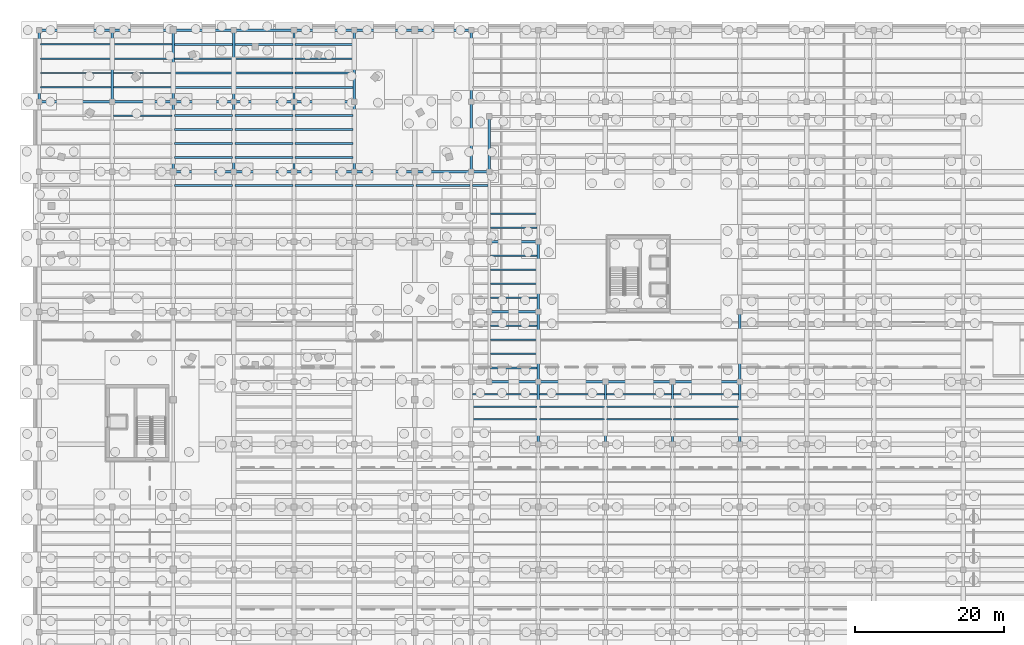
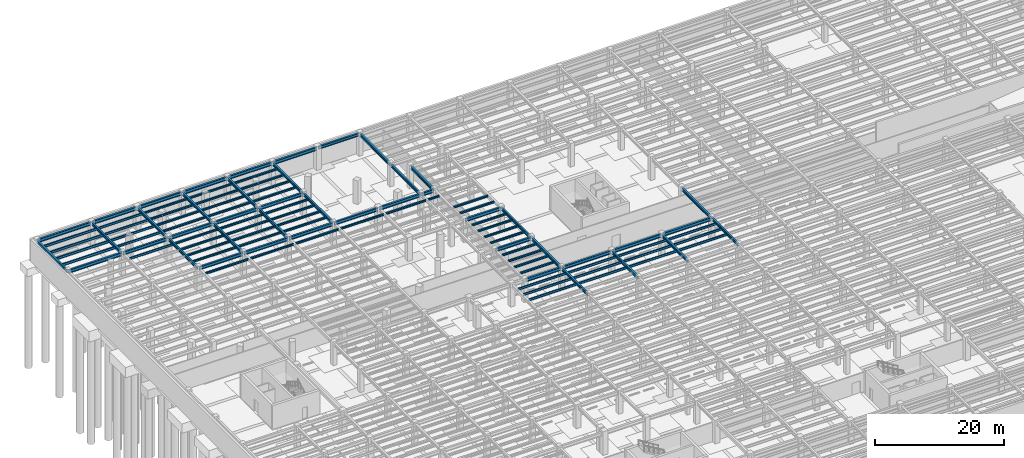
# One storey, part 24 of 49: 105 beams.
"""IFC4 building model written with IfcOpenShell, lengths in metres."""

from ifc_helpers import new_model, si_unit, direction, frame, origin, origin_2d, place, context, subcontext, project, spatial, i_section, extrude, material, material_profile, profile_set, type_object, element, save


model = new_model("IFC4")

# Units and contexts
model_context = context("Model", 3, precision=1e-05, world=origin(), true_north=direction((0.0, 1.0)))
body_context = subcontext(model_context, "Body", "Model", "MODEL_VIEW")
ifc_project = project(units=[si_unit("LENGTHUNIT", "METRE"), si_unit("AREAUNIT", "SQUARE_METRE"), si_unit("VOLUMEUNIT", "CUBIC_METRE"), si_unit("PLANEANGLEUNIT", "RADIAN"), si_unit("MASSUNIT", "GRAM", prefix="KILO")], contexts=[model_context])

# Site, building, storey
site_placement = place(None, origin())
site = spatial("IfcSite", under=ifc_project, at=site_placement, CompositionType="ELEMENT")
building_placement = place(site_placement, origin())
building = spatial("IfcBuilding", under=site, at=building_placement, Name="Sollismere Congress Hotel", CompositionType="ELEMENT")
storey_placement = place(building_placement, frame((0.0, 0.0, -4.5)))
storey = spatial("IfcBuildingStorey", under=building, at=storey_placement, Name="B1", CompositionType="ELEMENT", Elevation=-4.5)

# Beams
ifc_material = material(Name="Steel ASTM A992 Grade 50", Category="steel")
ifc_material_profile_1 = material_profile(ifc_material, i_section(OverallWidth=0.31494140625, OverallDepth=0.551025390625, WebThickness=0.01513671875, FlangeThickness=0.0244140625, at=origin_2d()), Name="W21X122")
ifc_profile_set_1 = profile_set([ifc_material_profile_1], Name="Steel ASTM A992 Grade 50")
beam_type_1 = type_object("IfcBeamType", Name="BM-G21H", PredefinedType="BEAM", material=ifc_profile_set_1)
beam_1_placement = place(storey_placement, frame((9.800048828125, 104.5400390625, 3.924560546875), z_axis=(0.0, 1.0, 0.0), x_axis=(-1.0, 0.0, 0.0)))
element("IfcBeam", 1, at=beam_1_placement, inside=storey, type_object=beam_type_1, Name="Beam BM-B1-0255", PredefinedType="BEAM", context=body_context, shape_type="SweptSolid", body=[
    extrude(i_section(OverallWidth=0.31494140625, OverallDepth=0.551025390625, WebThickness=0.01513671875, FlangeThickness=0.0244140625, at=origin_2d()), origin(), (0.0, 0.0, 1.0), 9.320068359375),
])
beam_2_placement = place(storey_placement, frame((18.0, 95.139892578125, 3.924560546875), z_axis=(0.0, 1.0, 0.0), x_axis=(-1.0, 0.0, 0.0)))
element("IfcBeam", 2, at=beam_2_placement, inside=storey, type_object=beam_type_1, Name="Beam BM-B1-0266", PredefinedType="BEAM", context=body_context, shape_type="SweptSolid", body=[
    extrude(i_section(OverallWidth=0.31494140625, OverallDepth=0.551025390625, WebThickness=0.01513671875, FlangeThickness=0.0244140625, at=origin_2d()), origin(), (0.0, 0.0, 1.0), 9.1201171875),
])
beam_3_placement = place(storey_placement, frame((18.0, 104.5400390625, 3.924560546875), z_axis=(0.0, 1.0, 0.0), x_axis=(-1.0, 0.0, 0.0)))
element("IfcBeam", 3, at=beam_3_placement, inside=storey, type_object=beam_type_1, Name="Beam BM-B1-0267", PredefinedType="BEAM", context=body_context, shape_type="SweptSolid", body=[
    extrude(i_section(OverallWidth=0.31494140625, OverallDepth=0.551025390625, WebThickness=0.01513671875, FlangeThickness=0.0244140625, at=origin_2d()), origin(), (0.0, 0.0, 1.0), 9.320068359375),
])
beam_4_placement = place(storey_placement, frame((26.10009765625, 95.139892578125, 3.924560546875), z_axis=(0.0, 1.0, 0.0), x_axis=(-1.0, 0.0, 0.0)))
element("IfcBeam", 4, at=beam_4_placement, inside=storey, type_object=beam_type_1, Name="Beam BM-B1-0279", PredefinedType="BEAM", context=body_context, shape_type="SweptSolid", body=[
    extrude(i_section(OverallWidth=0.31494140625, OverallDepth=0.551025390625, WebThickness=0.01513671875, FlangeThickness=0.0244140625, at=origin_2d()), origin(), (0.0, 0.0, 1.0), 9.1201171875),
])
beam_5_placement = place(storey_placement, frame((26.10009765625, 104.5400390625, 3.924560546875), z_axis=(0.0, 1.0, 0.0), x_axis=(-1.0, 0.0, 0.0)))
element("IfcBeam", 5, at=beam_5_placement, inside=storey, type_object=beam_type_1, Name="Beam BM-B1-0280", PredefinedType="BEAM", context=body_context, shape_type="SweptSolid", body=[
    extrude(i_section(OverallWidth=0.31494140625, OverallDepth=0.551025390625, WebThickness=0.01513671875, FlangeThickness=0.0244140625, at=origin_2d()), origin(), (0.0, 0.0, 1.0), 9.320068359375),
])
beam_6_placement = place(storey_placement, frame((34.199951171875, 95.139892578125, 3.924560546875), z_axis=(0.0, 1.0, 0.0), x_axis=(-1.0, 0.0, 0.0)))
element("IfcBeam", 6, at=beam_6_placement, inside=storey, type_object=beam_type_1, Name="Beam BM-B1-0292", PredefinedType="BEAM", context=body_context, shape_type="SweptSolid", body=[
    extrude(i_section(OverallWidth=0.31494140625, OverallDepth=0.551025390625, WebThickness=0.01513671875, FlangeThickness=0.0244140625, at=origin_2d()), origin(), (0.0, 0.0, 1.0), 9.1201171875),
])
beam_7_placement = place(storey_placement, frame((34.199951171875, 104.5400390625, 3.924560546875), z_axis=(0.0, 1.0, 0.0), x_axis=(-1.0, 0.0, 0.0)))
element("IfcBeam", 7, at=beam_7_placement, inside=storey, type_object=beam_type_1, Name="Beam BM-B1-0293", PredefinedType="BEAM", context=body_context, shape_type="SweptSolid", body=[
    extrude(i_section(OverallWidth=0.31494140625, OverallDepth=0.551025390625, WebThickness=0.01513671875, FlangeThickness=0.0244140625, at=origin_2d()), origin(), (0.0, 0.0, 1.0), 9.320068359375),
])
beam_8_placement = place(storey_placement, frame((42.300048828125, 95.139892578125, 3.924560546875), z_axis=(0.0, 1.0, 0.0), x_axis=(-1.0, 0.0, 0.0)))
element("IfcBeam", 8, at=beam_8_placement, inside=storey, type_object=beam_type_1, Name="Beam BM-B1-0305", PredefinedType="BEAM", context=body_context, shape_type="SweptSolid", body=[
    extrude(i_section(OverallWidth=0.31494140625, OverallDepth=0.551025390625, WebThickness=0.01513671875, FlangeThickness=0.0244140625, at=origin_2d()), origin(), (0.0, 0.0, 1.0), 9.1201171875),
])
beam_9_placement = place(storey_placement, frame((42.300048828125, 104.5400390625, 3.924560546875), z_axis=(0.0, 1.0, 0.0), x_axis=(-1.0, 0.0, 0.0)))
element("IfcBeam", 9, at=beam_9_placement, inside=storey, type_object=beam_type_1, Name="Beam BM-B1-0306", PredefinedType="BEAM", context=body_context, shape_type="SweptSolid", body=[
    extrude(i_section(OverallWidth=0.31494140625, OverallDepth=0.551025390625, WebThickness=0.01513671875, FlangeThickness=0.0244140625, at=origin_2d()), origin(), (0.0, 0.0, 1.0), 9.320068359375),
])
beam_10_placement = place(storey_placement, frame((58.0, 95.139892578125, 3.924560546875), z_axis=(0.0, 1.0, 0.0), x_axis=(-1.0, 0.0, 0.0)))
element("IfcBeam", 10, at=beam_10_placement, inside=storey, type_object=beam_type_1, Name="Beam BM-B1-0324", PredefinedType="BEAM", context=body_context, shape_type="SweptSolid", body=[
    extrude(i_section(OverallWidth=0.31494140625, OverallDepth=0.551025390625, WebThickness=0.01513671875, FlangeThickness=0.0244140625, at=origin_2d()), origin(), (0.0, 0.0, 1.0), 9.1201171875),
])
beam_11_placement = place(storey_placement, frame((58.0, 104.5400390625, 3.924560546875), z_axis=(0.0, 1.0, 0.0), x_axis=(-1.0, 0.0, 0.0)))
element("IfcBeam", 11, at=beam_11_placement, inside=storey, type_object=beam_type_1, Name="Beam BM-B1-0325", PredefinedType="BEAM", context=body_context, shape_type="SweptSolid", body=[
    extrude(i_section(OverallWidth=0.31494140625, OverallDepth=0.551025390625, WebThickness=0.01513671875, FlangeThickness=0.0244140625, at=origin_2d()), origin(), (0.0, 0.0, 1.0), 9.320068359375),
])
beam_12_placement = place(storey_placement, frame((60.39990234375, 95.139892578125, 3.924560546875), z_axis=(0.0, 1.0, 0.0), x_axis=(-1.0, 0.0, 0.0)))
element("IfcBeam", 12, at=beam_12_placement, inside=storey, type_object=beam_type_1, Name="Beam BM-B1-0329", PredefinedType="BEAM", context=body_context, shape_type="SweptSolid", body=[
    extrude(i_section(OverallWidth=0.31494140625, OverallDepth=0.551025390625, WebThickness=0.01513671875, FlangeThickness=0.0244140625, at=origin_2d()), origin(), (0.0, 0.0, 1.0), 7.1201171875),
])
beam_13_placement = place(storey_placement, frame((67.0, 58.5400390625, 3.924560546875), z_axis=(0.0, 1.0, 0.0), x_axis=(-1.0, 0.0, 0.0)))
element("IfcBeam", 13, at=beam_13_placement, inside=storey, type_object=beam_type_1, Name="Beam BM-B1-0339", PredefinedType="BEAM", context=body_context, shape_type="SweptSolid", body=[
    extrude(i_section(OverallWidth=0.31494140625, OverallDepth=0.551025390625, WebThickness=0.01513671875, FlangeThickness=0.0244140625, at=origin_2d()), origin(), (0.0, 0.0, 1.0), 8.119873046875),
])
beam_14_placement = place(storey_placement, frame((67.0, 66.93994140625, 3.924560546875), z_axis=(0.0, 1.0, 0.0), x_axis=(-1.0, 0.0, 0.0)))
element("IfcBeam", 14, at=beam_14_placement, inside=storey, type_object=beam_type_1, Name="Beam BM-B1-0340", PredefinedType="BEAM", context=body_context, shape_type="SweptSolid", body=[
    extrude(i_section(OverallWidth=0.31494140625, OverallDepth=0.551025390625, WebThickness=0.01513671875, FlangeThickness=0.0244140625, at=origin_2d()), origin(), (0.0, 0.0, 1.0), 9.1201171875),
])
beam_15_placement = place(storey_placement, frame((67.0, 76.340087890625, 3.924560546875), z_axis=(0.0, 1.0, 0.0), x_axis=(-1.0, 0.0, 0.0)))
element("IfcBeam", 15, at=beam_15_placement, inside=storey, type_object=beam_type_1, Name="Beam BM-B1-0341", PredefinedType="BEAM", context=body_context, shape_type="SweptSolid", body=[
    extrude(i_section(OverallWidth=0.31494140625, OverallDepth=0.551025390625, WebThickness=0.01513671875, FlangeThickness=0.0244140625, at=origin_2d()), origin(), (0.0, 0.0, 1.0), 9.119873046875),
])
for number, where, z_axis, x_axis, name in (
    (16, (76.0, 58.5400390625, 3.924560546875), (0.0, 1.0, 0.0), (-1.0, 0.0, 0.0), "Beam BM-B1-0354"),
    (17, (85.0, 58.5400390625, 3.924560546875), (0.0, 1.0, 0.0), (-1.0, 0.0, 0.0), "Beam BM-B1-0366"),
    (18, (94.0, 58.5400390625, 3.924560546875), (0.0, 1.0, 0.0), (-1.0, 0.0, 0.0), "Beam BM-B1-0376"),
):
    element("IfcBeam", number, at=place(storey_placement, frame(where, z_axis=z_axis, x_axis=x_axis)), inside=storey, type_object=beam_type_1, Name=name, PredefinedType="BEAM", context=body_context, shape_type="SweptSolid", body=[
        extrude(i_section(OverallWidth=0.31494140625, OverallDepth=0.551025390625, WebThickness=0.01513671875, FlangeThickness=0.0244140625, at=origin_2d()), origin(), (0.0, 0.0, 1.0), 8.119873046875),
    ])
beam_16_placement = place(storey_placement, frame((94.0, 66.93994140625, 3.924560546875), z_axis=(0.0, 1.0, 0.0), x_axis=(-1.0, 0.0, 0.0)))
element("IfcBeam", 19, at=beam_16_placement, inside=storey, type_object=beam_type_1, Name="Beam BM-B1-0377", PredefinedType="BEAM", context=body_context, shape_type="SweptSolid", body=[
    extrude(i_section(OverallWidth=0.31494140625, OverallDepth=0.551025390625, WebThickness=0.01513671875, FlangeThickness=0.0244140625, at=origin_2d()), origin(), (0.0, 0.0, 1.0), 9.1201171875),
])
ifc_material_profile_2 = material_profile(ifc_material, i_section(OverallWidth=0.324951171875, OverallDepth=0.612060546875, WebThickness=0.0126953125, FlangeThickness=0.01904296875, at=origin_2d()), Name="W24X104")
ifc_profile_set_2 = profile_set([ifc_material_profile_2], Name="Steel ASTM A992 Grade 50")
beam_type_2 = type_object("IfcBeamType", Name="BM-G24", PredefinedType="BEAM", material=ifc_profile_set_2)
beam_17_placement = place(storey_placement, frame((60.5400390625, 66.800048828125, 3.89404296875), z_axis=(1.0, 0.0, 0.0), x_axis=(0.0, 1.0, 0.0)))
element("IfcBeam", 20, at=beam_17_placement, inside=storey, type_object=beam_type_2, Name="Beam BM-B1-0132", PredefinedType="BEAM", context=body_context, shape_type="SweptSolid", body=[
    extrude(i_section(OverallWidth=0.324951171875, OverallDepth=0.612060546875, WebThickness=0.0126953125, FlangeThickness=0.01904296875, at=origin_2d()), origin(), (0.0, 0.0, 1.0), 6.320068359375),
])
for number, where, z_axis, x_axis, name in (
    (21, (67.139892578125, 66.800048828125, 3.89404296875), (1.0, 0.0, 0.0), (0.0, 1.0, 0.0), "Beam BM-B1-0133"),
    (22, (76.139892578125, 66.800048828125, 3.89404296875), (1.0, 0.0, 0.0), (0.0, 1.0, 0.0), "Beam BM-B1-0134"),
    (23, (85.139892578125, 66.800048828125, 3.89404296875), (1.0, 0.0, 0.0), (0.0, 1.0, 0.0), "Beam BM-B1-0135"),
):
    element("IfcBeam", number, at=place(storey_placement, frame(where, z_axis=z_axis, x_axis=x_axis)), inside=storey, type_object=beam_type_2, Name=name, PredefinedType="BEAM", context=body_context, shape_type="SweptSolid", body=[
        extrude(i_section(OverallWidth=0.324951171875, OverallDepth=0.612060546875, WebThickness=0.0126953125, FlangeThickness=0.01904296875, at=origin_2d()), origin(), (0.0, 0.0, 1.0), 8.72021484375),
    ])
for number, where, z_axis, x_axis, name in (
    (24, (60.5400390625, 76.199951171875, 3.89404296875), (1.0, 0.0, 0.0), (0.0, 1.0, 0.0), "Beam BM-B1-0149"),
    (25, (60.5400390625, 85.60009765625, 3.89404296875), (1.0, 0.0, 0.0), (0.0, 1.0, 0.0), "Beam BM-B1-0165"),
):
    element("IfcBeam", number, at=place(storey_placement, frame(where, z_axis=z_axis, x_axis=x_axis)), inside=storey, type_object=beam_type_2, Name=name, PredefinedType="BEAM", context=body_context, shape_type="SweptSolid", body=[
        extrude(i_section(OverallWidth=0.324951171875, OverallDepth=0.612060546875, WebThickness=0.0126953125, FlangeThickness=0.01904296875, at=origin_2d()), origin(), (0.0, 0.0, 1.0), 6.320068359375),
    ])
for number, where, z_axis, x_axis, name in (
    (26, (18.139892578125, 95.0, 3.89404296875), (1.0, 0.0, 0.0), (0.0, 1.0, 0.0), "Beam BM-B1-0175"),
    (27, (26.239990234375, 95.0, 3.89404296875), (1.0, 0.0, 0.0), (0.0, 1.0, 0.0), "Beam BM-B1-0176"),
):
    element("IfcBeam", number, at=place(storey_placement, frame(where, z_axis=z_axis, x_axis=x_axis)), inside=storey, type_object=beam_type_2, Name=name, PredefinedType="BEAM", context=body_context, shape_type="SweptSolid", body=[
        extrude(i_section(OverallWidth=0.324951171875, OverallDepth=0.612060546875, WebThickness=0.0126953125, FlangeThickness=0.01904296875, at=origin_2d()), origin(), (0.0, 0.0, 1.0), 7.820068359375),
    ])
beam_18_placement = place(storey_placement, frame((34.340087890625, 95.0, 3.89404296875), z_axis=(1.0, 0.0, 0.0), x_axis=(0.0, 1.0, 0.0)))
element("IfcBeam", 28, at=beam_18_placement, inside=storey, type_object=beam_type_2, Name="Beam BM-B1-0177", PredefinedType="BEAM", context=body_context, shape_type="SweptSolid", body=[
    extrude(i_section(OverallWidth=0.324951171875, OverallDepth=0.612060546875, WebThickness=0.0126953125, FlangeThickness=0.01904296875, at=origin_2d()), origin(), (0.0, 0.0, 1.0), 7.81982421875),
])
beam_19_placement = place(storey_placement, frame((42.43994140625, 95.0, 3.89404296875), z_axis=(1.0, 0.0, 0.0), x_axis=(0.0, 1.0, 0.0)))
element("IfcBeam", 29, at=beam_19_placement, inside=storey, type_object=beam_type_2, Name="Beam BM-B1-0178", PredefinedType="BEAM", context=body_context, shape_type="SweptSolid", body=[
    extrude(i_section(OverallWidth=0.324951171875, OverallDepth=0.612060546875, WebThickness=0.0126953125, FlangeThickness=0.01904296875, at=origin_2d()), origin(), (0.0, 0.0, 1.0), 7.820068359375),
])
beam_20_placement = place(storey_placement, frame((50.5400390625, 95.0, 3.89404296875), z_axis=(1.0, 0.0, 0.0), x_axis=(0.0, 1.0, 0.0)))
element("IfcBeam", 30, at=beam_20_placement, inside=storey, type_object=beam_type_2, Name="Beam BM-B1-0179", PredefinedType="BEAM", context=body_context, shape_type="SweptSolid", body=[
    extrude(i_section(OverallWidth=0.324951171875, OverallDepth=0.612060546875, WebThickness=0.0126953125, FlangeThickness=0.01904296875, at=origin_2d()), origin(), (0.0, 0.0, 1.0), 7.320068359375),
])
beam_21_placement = place(storey_placement, frame((58.139892578125, 95.0, 3.89404296875), z_axis=(1.0, 0.0, 0.0), x_axis=(0.0, 1.0, 0.0)))
element("IfcBeam", 31, at=beam_21_placement, inside=storey, type_object=beam_type_2, Name="Beam BM-B1-0180", PredefinedType="BEAM", context=body_context, shape_type="SweptSolid", body=[
    extrude(i_section(OverallWidth=0.324951171875, OverallDepth=0.612060546875, WebThickness=0.0126953125, FlangeThickness=0.01904296875, at=origin_2d()), origin(), (0.0, 0.0, 1.0), 2.1201171875),
])
beam_22_placement = place(storey_placement, frame((0.139892578125, 104.39990234375, 3.89404296875), z_axis=(1.0, 0.0, 0.0), x_axis=(0.0, 1.0, 0.0)))
element("IfcBeam", 32, at=beam_22_placement, inside=storey, type_object=beam_type_2, Name="Beam BM-B1-0192", PredefinedType="BEAM", context=body_context, shape_type="SweptSolid", body=[
    extrude(i_section(OverallWidth=0.324951171875, OverallDepth=0.612060546875, WebThickness=0.0126953125, FlangeThickness=0.01904296875, at=origin_2d()), origin(), (0.0, 0.0, 1.0), 9.52001953125),
])
beam_23_placement = place(storey_placement, frame((9.93994140625, 104.39990234375, 3.89404296875), z_axis=(1.0, 0.0, 0.0), x_axis=(0.0, 1.0, 0.0)))
element("IfcBeam", 33, at=beam_23_placement, inside=storey, type_object=beam_type_2, Name="Beam BM-B1-0193", PredefinedType="BEAM", context=body_context, shape_type="SweptSolid", body=[
    extrude(i_section(OverallWidth=0.324951171875, OverallDepth=0.612060546875, WebThickness=0.0126953125, FlangeThickness=0.01904296875, at=origin_2d()), origin(), (0.0, 0.0, 1.0), 7.920166015625),
])
for number, where, z_axis, x_axis, name in (
    (34, (18.139892578125, 104.39990234375, 3.89404296875), (1.0, 0.0, 0.0), (0.0, 1.0, 0.0), "Beam BM-B1-0194"),
    (35, (26.239990234375, 104.39990234375, 3.89404296875), (1.0, 0.0, 0.0), (0.0, 1.0, 0.0), "Beam BM-B1-0195"),
):
    element("IfcBeam", number, at=place(storey_placement, frame(where, z_axis=z_axis, x_axis=x_axis)), inside=storey, type_object=beam_type_2, Name=name, PredefinedType="BEAM", context=body_context, shape_type="SweptSolid", body=[
        extrude(i_section(OverallWidth=0.324951171875, OverallDepth=0.612060546875, WebThickness=0.0126953125, FlangeThickness=0.01904296875, at=origin_2d()), origin(), (0.0, 0.0, 1.0), 7.820068359375),
    ])
beam_24_placement = place(storey_placement, frame((34.340087890625, 104.39990234375, 3.89404296875), z_axis=(1.0, 0.0, 0.0), x_axis=(0.0, 1.0, 0.0)))
element("IfcBeam", 36, at=beam_24_placement, inside=storey, type_object=beam_type_2, Name="Beam BM-B1-0196", PredefinedType="BEAM", context=body_context, shape_type="SweptSolid", body=[
    extrude(i_section(OverallWidth=0.324951171875, OverallDepth=0.612060546875, WebThickness=0.0126953125, FlangeThickness=0.01904296875, at=origin_2d()), origin(), (0.0, 0.0, 1.0), 7.81982421875),
])
ifc_material_profile_3 = material_profile(ifc_material, i_section(OverallWidth=0.25390625, OverallDepth=0.35595703125, WebThickness=0.010498046875, FlangeThickness=0.018310546875, at=origin_2d()), Name="W14X68")
ifc_profile_set_3 = profile_set([ifc_material_profile_3], Name="Steel ASTM A992 Grade 50")
beam_type_3 = type_object("IfcBeamType", Name="BM-J14", PredefinedType="JOIST", material=ifc_profile_set_3)
for number, where, z_axis, x_axis, name in (
    (37, (18.157470703125, 93.1201171875, 4.02197265625), (1.0, 0.0, 0.0), (0.0, 1.0, 0.0), "Beam BM-B1-0560"),
    (38, (18.157470703125, 96.8798828125, 4.02197265625), (1.0, 0.0, 0.0), (0.0, 1.0, 0.0), "Beam BM-B1-0561"),
    (39, (18.157470703125, 98.760009765625, 4.02197265625), (1.0, 0.0, 0.0), (0.0, 1.0, 0.0), "Beam BM-B1-0562"),
    (40, (18.157470703125, 100.639892578125, 4.02197265625), (1.0, 0.0, 0.0), (0.0, 1.0, 0.0), "Beam BM-B1-0563"),
    (41, (18.157470703125, 102.52001953125, 4.02197265625), (1.0, 0.0, 0.0), (0.0, 1.0, 0.0), "Beam BM-B1-0564"),
    (42, (18.157470703125, 106.320068359375, 4.02197265625), (1.0, 0.0, 0.0), (0.0, 1.0, 0.0), "Beam BM-B1-0565"),
    (43, (18.157470703125, 108.239990234375, 4.02197265625), (1.0, 0.0, 0.0), (0.0, 1.0, 0.0), "Beam BM-B1-0566"),
    (44, (18.157470703125, 110.159912109375, 4.02197265625), (1.0, 0.0, 0.0), (0.0, 1.0, 0.0), "Beam BM-B1-0567"),
    (45, (18.157470703125, 112.080078125, 4.02197265625), (1.0, 0.0, 0.0), (0.0, 1.0, 0.0), "Beam BM-B1-0568"),
    (46, (26.257568359375, 93.1201171875, 4.02197265625), (1.0, 0.0, 0.0), (0.0, 1.0, 0.0), "Beam BM-B1-0611"),
    (47, (26.257568359375, 96.8798828125, 4.02197265625), (1.0, 0.0, 0.0), (0.0, 1.0, 0.0), "Beam BM-B1-0612"),
    (48, (26.257568359375, 98.760009765625, 4.02197265625), (1.0, 0.0, 0.0), (0.0, 1.0, 0.0), "Beam BM-B1-0613"),
    (49, (26.257568359375, 100.639892578125, 4.02197265625), (1.0, 0.0, 0.0), (0.0, 1.0, 0.0), "Beam BM-B1-0614"),
    (50, (26.257568359375, 102.52001953125, 4.02197265625), (1.0, 0.0, 0.0), (0.0, 1.0, 0.0), "Beam BM-B1-0615"),
    (51, (26.257568359375, 106.320068359375, 4.02197265625), (1.0, 0.0, 0.0), (0.0, 1.0, 0.0), "Beam BM-B1-0616"),
    (52, (26.257568359375, 108.239990234375, 4.02197265625), (1.0, 0.0, 0.0), (0.0, 1.0, 0.0), "Beam BM-B1-0617"),
    (53, (26.257568359375, 110.159912109375, 4.02197265625), (1.0, 0.0, 0.0), (0.0, 1.0, 0.0), "Beam BM-B1-0618"),
    (54, (26.257568359375, 112.080078125, 4.02197265625), (1.0, 0.0, 0.0), (0.0, 1.0, 0.0), "Beam BM-B1-0619"),
):
    element("IfcBeam", number, at=place(storey_placement, frame(where, z_axis=z_axis, x_axis=x_axis)), inside=storey, type_object=beam_type_3, Name=name, PredefinedType="JOIST", context=body_context, shape_type="SweptSolid", body=[
        extrude(i_section(OverallWidth=0.25390625, OverallDepth=0.35595703125, WebThickness=0.010498046875, FlangeThickness=0.018310546875, at=origin_2d()), origin(), (0.0, 0.0, 1.0), 7.784912109375),
    ])
for number, where, z_axis, x_axis, name in (
    (55, (34.357421875, 93.1201171875, 4.02197265625), (1.0, 0.0, 0.0), (0.0, 1.0, 0.0), "Beam BM-B1-0662"),
    (56, (34.357421875, 96.8798828125, 4.02197265625), (1.0, 0.0, 0.0), (0.0, 1.0, 0.0), "Beam BM-B1-0663"),
    (57, (34.357421875, 98.760009765625, 4.02197265625), (1.0, 0.0, 0.0), (0.0, 1.0, 0.0), "Beam BM-B1-0664"),
    (58, (34.357421875, 100.639892578125, 4.02197265625), (1.0, 0.0, 0.0), (0.0, 1.0, 0.0), "Beam BM-B1-0665"),
    (59, (34.357421875, 102.52001953125, 4.02197265625), (1.0, 0.0, 0.0), (0.0, 1.0, 0.0), "Beam BM-B1-0666"),
    (60, (34.357421875, 106.320068359375, 4.02197265625), (1.0, 0.0, 0.0), (0.0, 1.0, 0.0), "Beam BM-B1-0667"),
    (61, (34.357421875, 108.239990234375, 4.02197265625), (1.0, 0.0, 0.0), (0.0, 1.0, 0.0), "Beam BM-B1-0668"),
    (62, (34.357421875, 110.159912109375, 4.02197265625), (1.0, 0.0, 0.0), (0.0, 1.0, 0.0), "Beam BM-B1-0669"),
    (63, (34.357421875, 112.080078125, 4.02197265625), (1.0, 0.0, 0.0), (0.0, 1.0, 0.0), "Beam BM-B1-0670"),
):
    element("IfcBeam", number, at=place(storey_placement, frame(where, z_axis=z_axis, x_axis=x_axis)), inside=storey, type_object=beam_type_3, Name=name, PredefinedType="JOIST", context=body_context, shape_type="SweptSolid", body=[
        extrude(i_section(OverallWidth=0.25390625, OverallDepth=0.35595703125, WebThickness=0.010498046875, FlangeThickness=0.018310546875, at=origin_2d()), origin(), (0.0, 0.0, 1.0), 7.78515625),
    ])
beam_25_placement = place(storey_placement, frame((42.45751953125, 93.1201171875, 4.02197265625), z_axis=(1.0, 0.0, 0.0), x_axis=(0.0, 1.0, 0.0)))
element("IfcBeam", 64, at=beam_25_placement, inside=storey, type_object=beam_type_3, Name="Beam BM-B1-0690", PredefinedType="JOIST", context=body_context, shape_type="SweptSolid", body=[
    extrude(i_section(OverallWidth=0.25390625, OverallDepth=0.35595703125, WebThickness=0.010498046875, FlangeThickness=0.018310546875, at=origin_2d()), origin(), (0.0, 0.0, 1.0), 7.784912109375),
])
beam_26_placement = place(storey_placement, frame((50.5576171875, 93.1201171875, 4.02197265625), z_axis=(1.0, 0.0, 0.0), x_axis=(0.0, 1.0, 0.0)))
element("IfcBeam", 65, at=beam_26_placement, inside=storey, type_object=beam_type_3, Name="Beam BM-B1-0710", PredefinedType="JOIST", context=body_context, shape_type="SweptSolid", body=[
    extrude(i_section(OverallWidth=0.25390625, OverallDepth=0.35595703125, WebThickness=0.010498046875, FlangeThickness=0.018310546875, at=origin_2d()), origin(), (0.0, 0.0, 1.0), 7.284912109375),
])
beam_27_placement = place(storey_placement, frame((58.157470703125, 93.1201171875, 4.02197265625), z_axis=(1.0, 0.0, 0.0), x_axis=(0.0, 1.0, 0.0)))
element("IfcBeam", 66, at=beam_27_placement, inside=storey, type_object=beam_type_3, Name="Beam BM-B1-0742", PredefinedType="JOIST", context=body_context, shape_type="SweptSolid", body=[
    extrude(i_section(OverallWidth=0.25390625, OverallDepth=0.35595703125, WebThickness=0.010498046875, FlangeThickness=0.018310546875, at=origin_2d()), origin(), (0.0, 0.0, 1.0), 2.0849609375),
])
for number, where, z_axis, x_axis, name in (
    (67, (60.5576171875, 68.679931640625, 4.02197265625), (1.0, 0.0, 0.0), (0.0, 1.0, 0.0), "Beam BM-B1-0747"),
    (68, (60.5576171875, 70.56005859375, 4.02197265625), (1.0, 0.0, 0.0), (0.0, 1.0, 0.0), "Beam BM-B1-0748"),
    (69, (60.5576171875, 72.43994140625, 4.02197265625), (1.0, 0.0, 0.0), (0.0, 1.0, 0.0), "Beam BM-B1-0749"),
    (70, (60.5576171875, 74.320068359375, 4.02197265625), (1.0, 0.0, 0.0), (0.0, 1.0, 0.0), "Beam BM-B1-0750"),
    (71, (60.5576171875, 78.080078125, 4.02197265625), (1.0, 0.0, 0.0), (0.0, 1.0, 0.0), "Beam BM-B1-0751"),
    (72, (60.5576171875, 79.9599609375, 4.02197265625), (1.0, 0.0, 0.0), (0.0, 1.0, 0.0), "Beam BM-B1-0752"),
    (73, (60.5576171875, 81.840087890625, 4.02197265625), (1.0, 0.0, 0.0), (0.0, 1.0, 0.0), "Beam BM-B1-0753"),
    (74, (60.5576171875, 83.719970703125, 4.02197265625), (1.0, 0.0, 0.0), (0.0, 1.0, 0.0), "Beam BM-B1-0754"),
    (75, (60.5576171875, 87.47998046875, 4.02197265625), (1.0, 0.0, 0.0), (0.0, 1.0, 0.0), "Beam BM-B1-0755"),
    (76, (60.5576171875, 89.360107421875, 4.02197265625), (1.0, 0.0, 0.0), (0.0, 1.0, 0.0), "Beam BM-B1-0756"),
):
    element("IfcBeam", number, at=place(storey_placement, frame(where, z_axis=z_axis, x_axis=x_axis)), inside=storey, type_object=beam_type_3, Name=name, PredefinedType="JOIST", context=body_context, shape_type="SweptSolid", body=[
        extrude(i_section(OverallWidth=0.25390625, OverallDepth=0.35595703125, WebThickness=0.010498046875, FlangeThickness=0.018310546875, at=origin_2d()), origin(), (0.0, 0.0, 1.0), 6.284912109375),
    ])
ifc_material_profile_4 = material_profile(ifc_material, i_section(OverallWidth=0.180908203125, OverallDepth=0.4169921875, WebThickness=0.010986328125, FlangeThickness=0.018310546875, at=origin_2d()), Name="W16X57")
ifc_profile_set_4 = profile_set([ifc_material_profile_4], Name="Steel ASTM A992 Grade 50")
beam_type_4 = type_object("IfcBeamType", Name="BM-J16", PredefinedType="JOIST", material=ifc_profile_set_4)
for number, where, z_axis, x_axis, name in (
    (77, (9.95751953125, 102.52001953125, 3.991455078125), (1.0, 0.0, 0.0), (0.0, 1.0, 0.0), "Beam BM-B1-0529"),
    (78, (9.95751953125, 106.320068359375, 3.991455078125), (1.0, 0.0, 0.0), (0.0, 1.0, 0.0), "Beam BM-B1-0530"),
    (79, (9.95751953125, 108.239990234375, 3.991455078125), (1.0, 0.0, 0.0), (0.0, 1.0, 0.0), "Beam BM-B1-0531"),
    (80, (9.95751953125, 110.159912109375, 3.991455078125), (1.0, 0.0, 0.0), (0.0, 1.0, 0.0), "Beam BM-B1-0532"),
    (81, (9.95751953125, 112.080078125, 3.991455078125), (1.0, 0.0, 0.0), (0.0, 1.0, 0.0), "Beam BM-B1-0533"),
):
    element("IfcBeam", number, at=place(storey_placement, frame(where, z_axis=z_axis, x_axis=x_axis)), inside=storey, type_object=beam_type_4, Name=name, PredefinedType="JOIST", context=body_context, shape_type="SweptSolid", body=[
        extrude(i_section(OverallWidth=0.180908203125, OverallDepth=0.4169921875, WebThickness=0.010986328125, FlangeThickness=0.018310546875, at=origin_2d()), origin(), (0.0, 0.0, 1.0), 7.885009765625),
    ])
for number, where, z_axis, x_axis, name in (
    (82, (58.157470703125, 61.760009765625, 3.991455078125), (1.0, 0.0, 0.0), (0.0, 1.0, 0.0), "Beam BM-B1-0728"),
    (83, (58.157470703125, 63.43994140625, 3.991455078125), (1.0, 0.0, 0.0), (0.0, 1.0, 0.0), "Beam BM-B1-0729"),
    (84, (58.157470703125, 65.1201171875, 3.991455078125), (1.0, 0.0, 0.0), (0.0, 1.0, 0.0), "Beam BM-B1-0730"),
    (85, (67.157470703125, 61.760009765625, 3.991455078125), (1.0, 0.0, 0.0), (0.0, 1.0, 0.0), "Beam BM-B1-0789"),
    (86, (67.157470703125, 63.43994140625, 3.991455078125), (1.0, 0.0, 0.0), (0.0, 1.0, 0.0), "Beam BM-B1-0790"),
    (87, (67.157470703125, 65.1201171875, 3.991455078125), (1.0, 0.0, 0.0), (0.0, 1.0, 0.0), "Beam BM-B1-0791"),
    (88, (76.157470703125, 61.760009765625, 3.991455078125), (1.0, 0.0, 0.0), (0.0, 1.0, 0.0), "Beam BM-B1-0826"),
    (89, (76.157470703125, 63.43994140625, 3.991455078125), (1.0, 0.0, 0.0), (0.0, 1.0, 0.0), "Beam BM-B1-0827"),
    (90, (76.157470703125, 65.1201171875, 3.991455078125), (1.0, 0.0, 0.0), (0.0, 1.0, 0.0), "Beam BM-B1-0828"),
    (91, (85.157470703125, 61.760009765625, 3.991455078125), (1.0, 0.0, 0.0), (0.0, 1.0, 0.0), "Beam BM-B1-0856"),
    (92, (85.157470703125, 63.43994140625, 3.991455078125), (1.0, 0.0, 0.0), (0.0, 1.0, 0.0), "Beam BM-B1-0857"),
    (93, (85.157470703125, 65.1201171875, 3.991455078125), (1.0, 0.0, 0.0), (0.0, 1.0, 0.0), "Beam BM-B1-0858"),
):
    element("IfcBeam", number, at=place(storey_placement, frame(where, z_axis=z_axis, x_axis=x_axis)), inside=storey, type_object=beam_type_4, Name=name, PredefinedType="JOIST", context=body_context, shape_type="SweptSolid", body=[
        extrude(i_section(OverallWidth=0.180908203125, OverallDepth=0.4169921875, WebThickness=0.010986328125, FlangeThickness=0.018310546875, at=origin_2d()), origin(), (0.0, 0.0, 1.0), 8.68505859375),
    ])
ifc_material_profile_5 = material_profile(ifc_material, i_section(OverallWidth=0.193115234375, OverallDepth=0.467041015625, WebThickness=0.011474609375, FlangeThickness=0.01904296875, at=origin_2d()), Name="W18X65")
ifc_profile_set_5 = profile_set([ifc_material_profile_5], Name="Steel ASTM A992 Grade 50")
beam_type_5 = type_object("IfcBeamType", Name="BM-J18", PredefinedType="JOIST", material=ifc_profile_set_5)
for number, where, z_axis, x_axis, name in (
    (94, (0.1650390625, 106.320068359375, 3.966552734375), (1.0, 0.0, 0.0), (0.0, 1.0, 0.0), "Beam BM-B1-0495"),
    (95, (0.1650390625, 108.239990234375, 3.966552734375), (1.0, 0.0, 0.0), (0.0, 1.0, 0.0), "Beam BM-B1-0496"),
    (96, (0.1650390625, 110.159912109375, 3.966552734375), (1.0, 0.0, 0.0), (0.0, 1.0, 0.0), "Beam BM-B1-0497"),
    (97, (0.1650390625, 112.080078125, 3.966552734375), (1.0, 0.0, 0.0), (0.0, 1.0, 0.0), "Beam BM-B1-0498"),
):
    element("IfcBeam", number, at=place(storey_placement, frame(where, z_axis=z_axis, x_axis=x_axis)), inside=storey, type_object=beam_type_5, Name=name, PredefinedType="JOIST", context=body_context, shape_type="SweptSolid", body=[
        extrude(i_section(OverallWidth=0.193115234375, OverallDepth=0.467041015625, WebThickness=0.011474609375, FlangeThickness=0.01904296875, at=origin_2d()), origin(), (0.0, 0.0, 1.0), 9.4775390625),
    ])
ifc_material_profile_6 = material_profile(ifc_material, i_section(OverallWidth=0.31494140625, OverallDepth=0.551025390625, WebThickness=0.01513671875, FlangeThickness=0.0244140625, at=origin_2d()), Name="W21X122")
ifc_profile_set_6 = profile_set([ifc_material_profile_6], Name="Steel ASTM A992 Grade 50")
beam_type_6 = type_object("IfcBeamType", Name="BM-SP21E", PredefinedType="SPANDREL", material=ifc_profile_set_6)
beam_28_placement = place(storey_placement, frame((50.5400390625, 114.0, 3.924560546875), z_axis=(1.0, 0.0, 0.0), x_axis=(0.0, 1.0, 0.0)))
element("IfcBeam", 98, at=beam_28_placement, inside=storey, type_object=beam_type_6, Name="Beam BM-B1-0214", PredefinedType="SPANDREL", context=body_context, shape_type="SweptSolid", body=[
    extrude(i_section(OverallWidth=0.31494140625, OverallDepth=0.551025390625, WebThickness=0.01513671875, FlangeThickness=0.0244140625, at=origin_2d()), origin(), (0.0, 0.0, 1.0), 7.320068359375),
])
ifc_material_profile_7 = material_profile(ifc_material, i_section(OverallWidth=0.330078125, OverallDepth=0.635009765625, WebThickness=0.017822265625, FlangeThickness=0.031005859375, at=origin_2d()), Name="W24X162")
ifc_profile_set_7 = profile_set([ifc_material_profile_7], Name="Steel ASTM A992 Grade 50")
beam_type_7 = type_object("IfcBeamType", Name="BM-SP24E", PredefinedType="SPANDREL", material=ifc_profile_set_7)
beam_29_placement = place(storey_placement, frame((0.139892578125, 114.0, 3.882568359375), z_axis=(1.0, 0.0, 0.0), x_axis=(0.0, 1.0, 0.0)))
element("IfcBeam", 99, at=beam_29_placement, inside=storey, type_object=beam_type_7, Name="Beam BM-B1-0208", PredefinedType="SPANDREL", context=body_context, shape_type="SweptSolid", body=[
    extrude(i_section(OverallWidth=0.330078125, OverallDepth=0.635009765625, WebThickness=0.017822265625, FlangeThickness=0.031005859375, at=origin_2d()), origin(), (0.0, 0.0, 1.0), 9.52001953125),
])
beam_30_placement = place(storey_placement, frame((9.93994140625, 114.0, 3.882568359375), z_axis=(1.0, 0.0, 0.0), x_axis=(0.0, 1.0, 0.0)))
element("IfcBeam", 100, at=beam_30_placement, inside=storey, type_object=beam_type_7, Name="Beam BM-B1-0209", PredefinedType="SPANDREL", context=body_context, shape_type="SweptSolid", body=[
    extrude(i_section(OverallWidth=0.330078125, OverallDepth=0.635009765625, WebThickness=0.017822265625, FlangeThickness=0.031005859375, at=origin_2d()), origin(), (0.0, 0.0, 1.0), 7.920166015625),
])
for number, where, z_axis, x_axis, name in (
    (101, (18.139892578125, 114.0, 3.882568359375), (1.0, 0.0, 0.0), (0.0, 1.0, 0.0), "Beam BM-B1-0210"),
    (102, (26.239990234375, 114.0, 3.882568359375), (1.0, 0.0, 0.0), (0.0, 1.0, 0.0), "Beam BM-B1-0211"),
):
    element("IfcBeam", number, at=place(storey_placement, frame(where, z_axis=z_axis, x_axis=x_axis)), inside=storey, type_object=beam_type_7, Name=name, PredefinedType="SPANDREL", context=body_context, shape_type="SweptSolid", body=[
        extrude(i_section(OverallWidth=0.330078125, OverallDepth=0.635009765625, WebThickness=0.017822265625, FlangeThickness=0.031005859375, at=origin_2d()), origin(), (0.0, 0.0, 1.0), 7.820068359375),
    ])
beam_31_placement = place(storey_placement, frame((34.340087890625, 114.0, 3.882568359375), z_axis=(1.0, 0.0, 0.0), x_axis=(0.0, 1.0, 0.0)))
element("IfcBeam", 103, at=beam_31_placement, inside=storey, type_object=beam_type_7, Name="Beam BM-B1-0212", PredefinedType="SPANDREL", context=body_context, shape_type="SweptSolid", body=[
    extrude(i_section(OverallWidth=0.330078125, OverallDepth=0.635009765625, WebThickness=0.017822265625, FlangeThickness=0.031005859375, at=origin_2d()), origin(), (0.0, 0.0, 1.0), 7.81982421875),
])
beam_32_placement = place(storey_placement, frame((42.43994140625, 114.0, 3.882568359375), z_axis=(1.0, 0.0, 0.0), x_axis=(0.0, 1.0, 0.0)))
element("IfcBeam", 104, at=beam_32_placement, inside=storey, type_object=beam_type_7, Name="Beam BM-B1-0213", PredefinedType="SPANDREL", context=body_context, shape_type="SweptSolid", body=[
    extrude(i_section(OverallWidth=0.330078125, OverallDepth=0.635009765625, WebThickness=0.017822265625, FlangeThickness=0.031005859375, at=origin_2d()), origin(), (0.0, 0.0, 1.0), 7.820068359375),
])
beam_33_placement = place(storey_placement, frame((0.0, 104.5400390625, 3.882568359375), z_axis=(0.0, 1.0, 0.0), x_axis=(-1.0, 0.0, 0.0)))
element("IfcBeam", 105, at=beam_33_placement, inside=storey, type_object=beam_type_7, Name="Beam BM-B1-0245", PredefinedType="SPANDREL", context=body_context, shape_type="SweptSolid", body=[
    extrude(i_section(OverallWidth=0.330078125, OverallDepth=0.635009765625, WebThickness=0.017822265625, FlangeThickness=0.031005859375, at=origin_2d()), origin(), (0.0, 0.0, 1.0), 9.320068359375),
])

save(model, "model.ifc")
